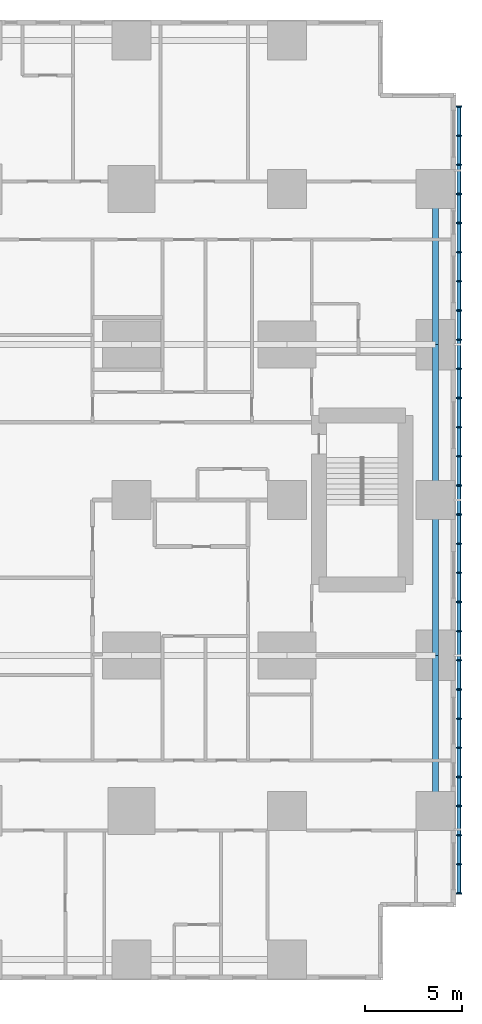
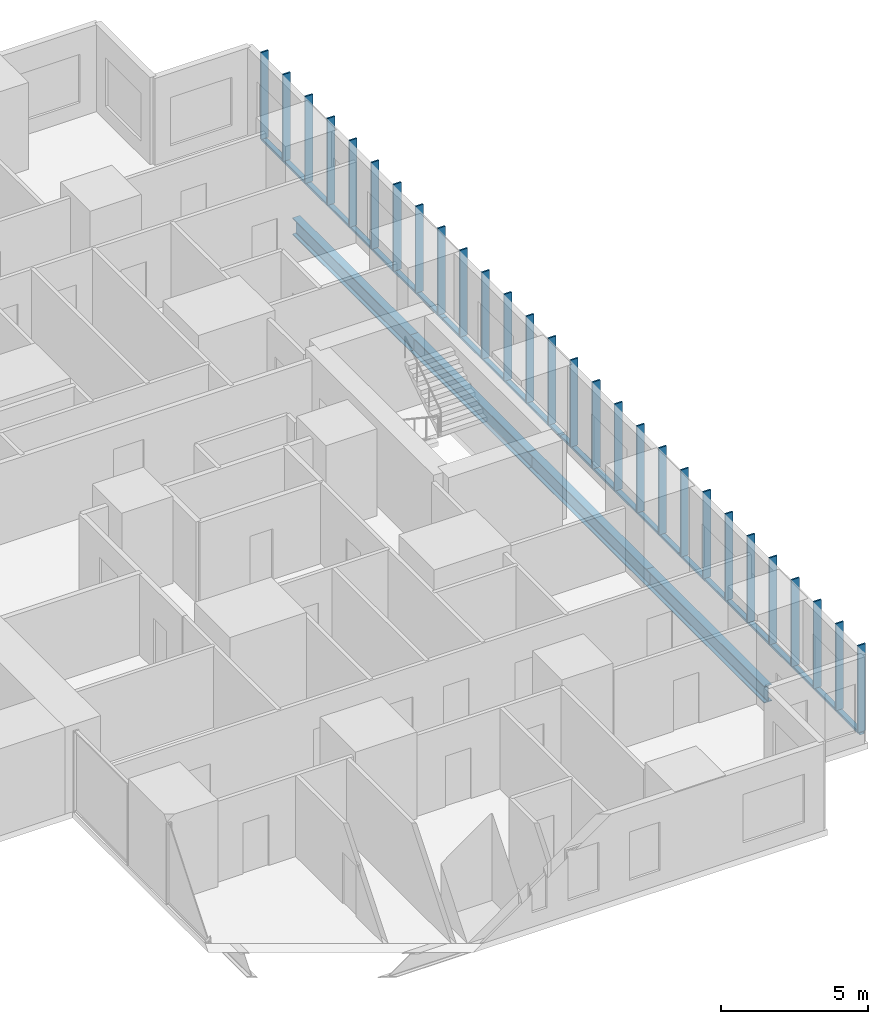
# One storey, part 6 of 20: 32 members, 4 beams.
"""IFC4 building model written with IfcOpenShell, lengths in metres."""

from ifc_helpers import new_model, si_unit, direction, frame, origin, origin_2d, place, context, subcontext, project, spatial, rectangle, hollow_rectangle, i_section, extrude, material, material_profile, profile_set, type_object, element, save


model = new_model("IFC4")

# Units and contexts
model_context = context("Model", 3, precision=1e-05, world=origin(), true_north=direction((0.0, 1.0)))
body_context = subcontext(model_context, "Body", "Model", "MODEL_VIEW")
ifc_project = project(units=[si_unit("LENGTHUNIT", "METRE"), si_unit("AREAUNIT", "SQUARE_METRE"), si_unit("VOLUMEUNIT", "CUBIC_METRE"), si_unit("PLANEANGLEUNIT", "RADIAN"), si_unit("MASSUNIT", "GRAM", prefix="KILO")], contexts=[model_context])

# Site, building, storey
site_placement = place(None, origin())
site = spatial("IfcSite", under=ifc_project, at=site_placement, CompositionType="ELEMENT")
building_placement = place(site_placement, origin())
building = spatial("IfcBuilding", under=site, at=building_placement, Name="Cleftline Residences", CompositionType="ELEMENT")
storey_placement = place(building_placement, frame((0.0, 0.0, 72.800048828125)))
storey = spatial("IfcBuildingStorey", under=building, at=storey_placement, Name="L18", CompositionType="ELEMENT", Elevation=72.800048828125)

# Members
ifc_material_1 = material(Name="Steel S355, hot-dip galvanised", Category="steel")
ifc_material_profile_1 = material_profile(ifc_material_1, hollow_rectangle(XDim=0.10009765625, YDim=0.199951171875, WallThickness=0.008056640625, InnerFilletRadius=0.008056640625, OuterFilletRadius=0.011962890625, at=origin_2d()))
ifc_profile_set_1 = profile_set([ifc_material_profile_1], Name="Steel S355, hot-dip galvanised")
member_type_1 = type_object("IfcMemberType", Name="BAGUETTE CARRIER RHS 200X100X8", PredefinedType="USERDEFINED", material=ifc_profile_set_1)
member_1_placement = place(storey_placement, frame((66.85009765625, 3.699951171875, -0.050048828125), z_axis=(0.0, 1.0, 0.0), x_axis=(0.0, 0.0, 1.0)))
element("IfcMember", 1, at=member_1_placement, inside=storey, type_object=member_type_1, Name="Baguette carrier", ObjectType="BAGUETTE CARRIER", PredefinedType="USERDEFINED", context=body_context, shape_type="SweptSolid", body=[
    extrude(hollow_rectangle(XDim=0.10009765625, YDim=0.199951171875, WallThickness=0.008056640625, InnerFilletRadius=0.008056640625, OuterFilletRadius=0.011962890625, at=origin_2d()), origin(), (0.0, 0.0, 1.0), 12.300048828125),
])
for number, where, z_axis, x_axis, name in (
    (2, (66.85009765625, 16.0, -0.050048828125), (0.0, 1.0, 0.0), (0.0, 0.0, 1.0), "Baguette carrier"),
    (3, (66.85009765625, 24.0, -0.050048828125), (0.0, 1.0, 0.0), (0.0, 0.0, 1.0), "Baguette carrier"),
):
    element("IfcMember", number, at=place(storey_placement, frame(where, z_axis=z_axis, x_axis=x_axis)), inside=storey, type_object=member_type_1, Name=name, ObjectType="BAGUETTE CARRIER", PredefinedType="USERDEFINED", context=body_context, shape_type="SweptSolid", body=[
        extrude(hollow_rectangle(XDim=0.10009765625, YDim=0.199951171875, WallThickness=0.008056640625, InnerFilletRadius=0.008056640625, OuterFilletRadius=0.011962890625, at=origin_2d()), origin(), (0.0, 0.0, 1.0), 8.0),
    ])
member_2_placement = place(storey_placement, frame((66.85009765625, 32.0, -0.050048828125), z_axis=(0.0, 1.0, 0.0), x_axis=(0.0, 0.0, 1.0)))
element("IfcMember", 4, at=member_2_placement, inside=storey, type_object=member_type_1, Name="Baguette carrier", ObjectType="BAGUETTE CARRIER", PredefinedType="USERDEFINED", context=body_context, shape_type="SweptSolid", body=[
    extrude(hollow_rectangle(XDim=0.10009765625, YDim=0.199951171875, WallThickness=0.008056640625, InnerFilletRadius=0.008056640625, OuterFilletRadius=0.011962890625, at=origin_2d()), origin(), (0.0, 0.0, 1.0), 12.300048828125),
])

# Beams
ifc_material_2 = material(Name="Steel S355", Category="steel")
ifc_material_profile_2 = material_profile(ifc_material_2, i_section(OverallWidth=0.300048828125, OverallDepth=0.699951171875, WebThickness=0.01708984375, FlangeThickness=0.031982421875, FilletRadius=0.027099609375, at=origin_2d()))
ifc_profile_set_2 = profile_set([ifc_material_profile_2], Name="Steel S355")
beam_type = type_object("IfcBeamType", Name="BEAM HEB 700", PredefinedType="BEAM", material=ifc_profile_set_2)
for number, where, z_axis, x_axis, name in (
    (5, (65.64990234375, 8.0, -0.60009765625), (0.0, 1.0, 0.0), (-1.0, 0.0, 0.0), "Edge beam"),
    (6, (65.64990234375, 16.0, -0.60009765625), (0.0, 1.0, 0.0), (-1.0, 0.0, 0.0), "Edge beam"),
    (7, (65.64990234375, 24.0, -0.60009765625), (0.0, 1.0, 0.0), (-1.0, 0.0, 0.0), "Edge beam"),
    (8, (65.64990234375, 32.0, -0.60009765625), (0.0, 1.0, 0.0), (-1.0, 0.0, 0.0), "Edge beam"),
):
    element("IfcBeam", number, at=place(storey_placement, frame(where, z_axis=z_axis, x_axis=x_axis)), inside=storey, type_object=beam_type, Name=name, PredefinedType="BEAM", context=body_context, shape_type="SweptSolid", body=[
        extrude(i_section(OverallWidth=0.300048828125, OverallDepth=0.699951171875, WebThickness=0.01708984375, FlangeThickness=0.031982421875, FilletRadius=0.027099609375, at=origin_2d()), origin(), (0.0, 0.0, 1.0), 8.0),
    ])

# Members
ifc_material_3 = material(Name="Extruded terracotta", Category="masonry")
ifc_material_profile_3 = material_profile(ifc_material_3, rectangle(XDim=0.06005859375, YDim=0.300048828125, at=origin_2d()))
ifc_profile_set_3 = profile_set([ifc_material_profile_3], Name="Extruded terracotta")
member_type_2 = type_object("IfcMemberType", Name="TERRACOTTA BAGUETTE 60X300", PredefinedType="USERDEFINED", material=ifc_profile_set_3)
for number, where, z_axis, x_axis, name in (
    (9, (66.85009765625, 3.75, 0.0), (0.0, 0.0, 1.0), (0.0, 1.0, 0.0), "Terracotta baguette"),
    (10, (66.85009765625, 5.25, 0.0), (0.0, 0.0, 1.0), (0.0, 1.0, 0.0), "Terracotta baguette"),
    (11, (66.85009765625, 6.75, 0.0), (0.0, 0.0, 1.0), (0.0, 1.0, 0.0), "Terracotta baguette"),
    (12, (66.85009765625, 8.25, 0.0), (0.0, 0.0, 1.0), (0.0, 1.0, 0.0), "Terracotta baguette"),
    (13, (66.85009765625, 9.75, 0.0), (0.0, 0.0, 1.0), (0.0, 1.0, 0.0), "Terracotta baguette"),
    (14, (66.85009765625, 11.25, 0.0), (0.0, 0.0, 1.0), (0.0, 1.0, 0.0), "Terracotta baguette"),
    (15, (66.85009765625, 12.75, 0.0), (0.0, 0.0, 1.0), (0.0, 1.0, 0.0), "Terracotta baguette"),
    (16, (66.85009765625, 14.25, 0.0), (0.0, 0.0, 1.0), (0.0, 1.0, 0.0), "Terracotta baguette"),
    (17, (66.85009765625, 15.75, 0.0), (0.0, 0.0, 1.0), (0.0, 1.0, 0.0), "Terracotta baguette"),
    (18, (66.85009765625, 17.25, 0.0), (0.0, 0.0, 1.0), (0.0, 1.0, 0.0), "Terracotta baguette"),
    (19, (66.85009765625, 18.75, 0.0), (0.0, 0.0, 1.0), (0.0, 1.0, 0.0), "Terracotta baguette"),
    (20, (66.85009765625, 20.25, 0.0), (0.0, 0.0, 1.0), (0.0, 1.0, 0.0), "Terracotta baguette"),
    (21, (66.85009765625, 21.75, 0.0), (0.0, 0.0, 1.0), (0.0, 1.0, 0.0), "Terracotta baguette"),
    (22, (66.85009765625, 23.25, 0.0), (0.0, 0.0, 1.0), (0.0, 1.0, 0.0), "Terracotta baguette"),
    (23, (66.85009765625, 24.75, 0.0), (0.0, 0.0, 1.0), (0.0, 1.0, 0.0), "Terracotta baguette"),
    (24, (66.85009765625, 26.25, 0.0), (0.0, 0.0, 1.0), (0.0, 1.0, 0.0), "Terracotta baguette"),
    (25, (66.85009765625, 27.75, 0.0), (0.0, 0.0, 1.0), (0.0, 1.0, 0.0), "Terracotta baguette"),
    (26, (66.85009765625, 29.25, 0.0), (0.0, 0.0, 1.0), (0.0, 1.0, 0.0), "Terracotta baguette"),
    (27, (66.85009765625, 30.75, 0.0), (0.0, 0.0, 1.0), (0.0, 1.0, 0.0), "Terracotta baguette"),
    (28, (66.85009765625, 32.25, 0.0), (0.0, 0.0, 1.0), (0.0, 1.0, 0.0), "Terracotta baguette"),
    (29, (66.85009765625, 33.75, 0.0), (0.0, 0.0, 1.0), (0.0, 1.0, 0.0), "Terracotta baguette"),
    (30, (66.85009765625, 35.25, 0.0), (0.0, 0.0, 1.0), (0.0, 1.0, 0.0), "Terracotta baguette"),
    (31, (66.85009765625, 36.75, 0.0), (0.0, 0.0, 1.0), (0.0, 1.0, 0.0), "Terracotta baguette"),
    (32, (66.85009765625, 38.25, 0.0), (0.0, 0.0, 1.0), (0.0, 1.0, 0.0), "Terracotta baguette"),
    (33, (66.85009765625, 39.75, 0.0), (0.0, 0.0, 1.0), (0.0, 1.0, 0.0), "Terracotta baguette"),
    (34, (66.85009765625, 41.25, 0.0), (0.0, 0.0, 1.0), (0.0, 1.0, 0.0), "Terracotta baguette"),
    (35, (66.85009765625, 42.75, 0.0), (0.0, 0.0, 1.0), (0.0, 1.0, 0.0), "Terracotta baguette"),
    (36, (66.85009765625, 44.25, 0.0), (0.0, 0.0, 1.0), (0.0, 1.0, 0.0), "Terracotta baguette"),
):
    element("IfcMember", number, at=place(storey_placement, frame(where, z_axis=z_axis, x_axis=x_axis)), inside=storey, type_object=member_type_2, Name=name, ObjectType="BAGUETTE", PredefinedType="USERDEFINED", context=body_context, shape_type="SweptSolid", body=[
        extrude(rectangle(XDim=0.06005859375, YDim=0.300048828125, at=origin_2d()), origin(), (0.0, 0.0, 1.0), 3.599853515625),
    ])

save(model, "model.ifc")
